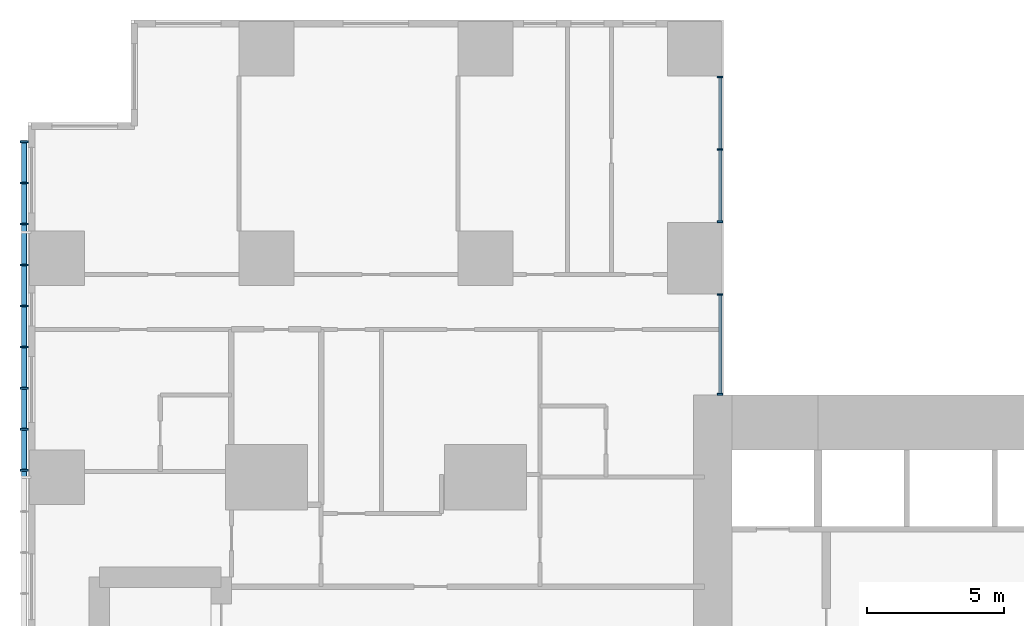
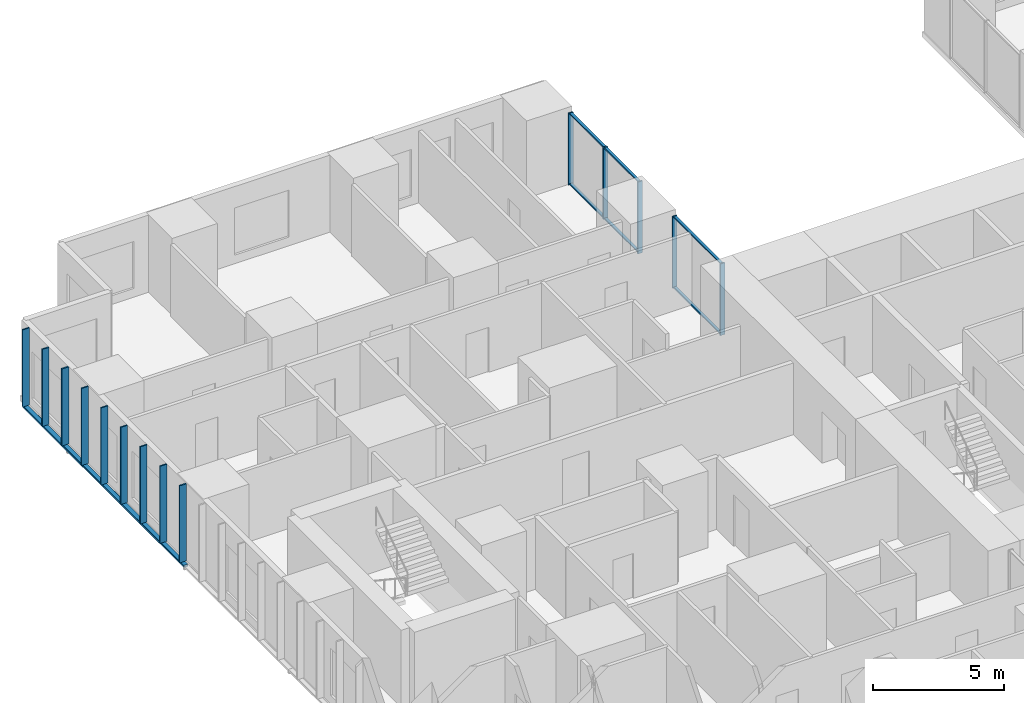
# One storey, part 4 of 20: 21 members, 2 elements without a shape of their own.
"""IFC4 building model written with IfcOpenShell, lengths in metres."""

from ifc_helpers import new_model, si_unit, direction, frame, origin, origin_2d, place, context, subcontext, project, spatial, rectangle, hollow_rectangle, extrude, material, layer, layer_set, material_profile, profile_set, type_object, element, aggregate, save


model = new_model("IFC4")

# Units and contexts
model_context = context("Model", 3, precision=1e-05, world=origin(), true_north=direction((0.0, 1.0)))
body_context = subcontext(model_context, "Body", "Model", "MODEL_VIEW")
ifc_project = project(units=[si_unit("LENGTHUNIT", "METRE"), si_unit("AREAUNIT", "SQUARE_METRE"), si_unit("VOLUMEUNIT", "CUBIC_METRE"), si_unit("PLANEANGLEUNIT", "RADIAN"), si_unit("MASSUNIT", "GRAM", prefix="KILO")], contexts=[model_context])

# Site, building, storey
site_placement = place(None, origin())
site = spatial("IfcSite", under=ifc_project, at=site_placement, CompositionType="ELEMENT")
building_placement = place(site_placement, origin())
building = spatial("IfcBuilding", under=site, at=building_placement, Name="Cleftline Residences", CompositionType="ELEMENT")
storey_placement = place(building_placement, frame((0.0, 0.0, 135.800048828125)))
storey = spatial("IfcBuildingStorey", under=building, at=storey_placement, Name="L35", CompositionType="ELEMENT", Elevation=135.800048828125)

# Member
ifc_material_1 = material(Name="Steel S355, hot-dip galvanised", Category="steel")
ifc_material_profile_1 = material_profile(ifc_material_1, hollow_rectangle(XDim=0.10009765625, YDim=0.199951171875, WallThickness=0.008056640625, InnerFilletRadius=0.008056640625, OuterFilletRadius=0.011962890625, at=origin_2d()))
ifc_profile_set_1 = profile_set([ifc_material_profile_1], Name="Steel S355, hot-dip galvanised")
member_type_1 = type_object("IfcMemberType", Name="BAGUETTE CARRIER RHS 200X100X8", PredefinedType="USERDEFINED", material=ifc_profile_set_1)
member_1_placement = place(storey_placement, frame((-0.85009765625, 44.300048828125, -0.050048828125), z_axis=(0.0, -1.0, 0.0), x_axis=(0.0, 0.0, 1.0)))
element("IfcMember", 1, at=member_1_placement, inside=storey, type_object=member_type_1, Name="Baguette carrier", ObjectType="BAGUETTE CARRIER", PredefinedType="USERDEFINED", context=body_context, shape_type="SweptSolid", body=[
    extrude(hollow_rectangle(XDim=0.10009765625, YDim=0.199951171875, WallThickness=0.008056640625, InnerFilletRadius=0.008056640625, OuterFilletRadius=0.011962890625, at=origin_2d()), origin(), (0.0, 0.0, 1.0), 12.300048828125),
])

# Curtain wall, members
ifc_material_2 = material(Name="Aluminium framed curtain wall", Category="aluminium")
ifc_layer = layer(ifc_material_2, 0.199951171875)
ifc_layer_set = layer_set([ifc_layer], Name="CW1 CLEFT GLAZING")
curtain_wall_type = type_object("IfcCurtainWallType", Name="CW1 CLEFT GLAZING", PredefinedType="NOTDEFINED", material=ifc_layer_set)
curtain_wall_1_placement = place(storey_placement, origin())
curtain_wall_1 = element("IfcCurtainWall", 2, at=curtain_wall_1_placement, inside=storey, type_object=curtain_wall_type, Name="Curtain wall CW1", PredefinedType="NOTDEFINED")
ifc_material_3 = material(Name="Aluminium mullion", Category="aluminium")
ifc_material_profile_2 = material_profile(ifc_material_3, rectangle(XDim=0.199951171875, YDim=0.06005859375, at=origin_2d()))
ifc_profile_set_2 = profile_set([ifc_material_profile_2], Name="Aluminium mullion")
member_type_2 = type_object("IfcMemberType", Name="CW1 MULLION", PredefinedType="MULLION", material=ifc_profile_set_2)
member_2_placement = place(storey_placement, frame((24.574951171875, 35.030029296875, 0.0), z_axis=(0.0, 0.0, 1.0), x_axis=(-1.0, 0.0, 0.0)))
member_2 = element("IfcMember", 3, at=member_2_placement, type_object=member_type_2, Name="CW1 mullion 1", PredefinedType="MULLION", context=body_context, shape_type="SweptSolid", body=[
    extrude(rectangle(XDim=0.199951171875, YDim=0.06005859375, at=origin_2d()), origin(), (0.0, 0.0, 1.0), 3.349853515625),
])
member_3_placement = place(storey_placement, frame((24.574951171875, 38.669921875, 0.0), z_axis=(0.0, 0.0, 1.0), x_axis=(-1.0, 0.0, 0.0)))
member_3 = element("IfcMember", 4, at=member_3_placement, type_object=member_type_2, Name="CW1 mullion 2", PredefinedType="MULLION", context=body_context, shape_type="SweptSolid", body=[
    extrude(rectangle(XDim=0.199951171875, YDim=0.06005859375, at=origin_2d()), origin(), (0.0, 0.0, 1.0), 3.349853515625),
])

curtain_wall_2_placement = place(storey_placement, origin())
curtain_wall_2 = element("IfcCurtainWall", 5, at=curtain_wall_2_placement, inside=storey, type_object=curtain_wall_type, Name="Curtain wall CW1", PredefinedType="NOTDEFINED")
member_4_placement = place(storey_placement, frame((24.574951171875, 41.330078125, 0.0), z_axis=(0.0, 0.0, 1.0), x_axis=(-1.0, 0.0, 0.0)))
member_4 = element("IfcMember", 6, at=member_4_placement, type_object=member_type_2, Name="CW1 mullion 1", PredefinedType="MULLION", context=body_context, shape_type="SweptSolid", body=[
    extrude(rectangle(XDim=0.199951171875, YDim=0.06005859375, at=origin_2d()), origin(), (0.0, 0.0, 1.0), 3.349853515625),
])
member_5_placement = place(storey_placement, frame((24.574951171875, 43.97509765625, 0.0), z_axis=(0.0, 0.0, 1.0), x_axis=(-1.0, 0.0, 0.0)))
member_5 = element("IfcMember", 7, at=member_5_placement, type_object=member_type_2, Name="CW1 mullion 2", PredefinedType="MULLION", context=body_context, shape_type="SweptSolid", body=[
    extrude(rectangle(XDim=0.199951171875, YDim=0.06005859375, at=origin_2d()), origin(), (0.0, 0.0, 1.0), 3.349853515625),
])
member_6_placement = place(storey_placement, frame((24.574951171875, 46.6201171875, 0.0), z_axis=(0.0, 0.0, 1.0), x_axis=(-1.0, 0.0, 0.0)))
member_6 = element("IfcMember", 8, at=member_6_placement, type_object=member_type_2, Name="CW1 mullion 3", PredefinedType="MULLION", context=body_context, shape_type="SweptSolid", body=[
    extrude(rectangle(XDim=0.199951171875, YDim=0.06005859375, at=origin_2d()), origin(), (0.0, 0.0, 1.0), 3.349853515625),
])

# Member
ifc_material_4 = material(Name="Aluminium transom", Category="aluminium")
ifc_material_profile_3 = material_profile(ifc_material_4, rectangle(XDim=0.1201171875, YDim=0.06005859375, at=origin_2d()))
ifc_profile_set_3 = profile_set([ifc_material_profile_3], Name="Aluminium transom")
member_type_3 = type_object("IfcMemberType", Name="CW1 TRANSOM", PredefinedType="USERDEFINED", material=ifc_profile_set_3)
member_7_placement = place(storey_placement, frame((24.574951171875, 35.06005859375, 0.030029296875), z_axis=(0.0, 1.0, 0.0), x_axis=(-1.0, 0.0, 0.0)))
member_7 = element("IfcMember", 9, at=member_7_placement, type_object=member_type_3, Name="CW1 transom 1.1", ObjectType="TRANSOM", PredefinedType="USERDEFINED", context=body_context, shape_type="SweptSolid", body=[
    extrude(rectangle(XDim=0.1201171875, YDim=0.06005859375, at=origin_2d()), origin(), (0.0, 0.0, 1.0), 3.579833984375),
])

member_8_placement = place(storey_placement, frame((24.574951171875, 35.06005859375, 3.320068359375), z_axis=(0.0, 1.0, 0.0), x_axis=(-1.0, 0.0, 0.0)))
member_8 = element("IfcMember", 10, at=member_8_placement, type_object=member_type_3, Name="CW1 transom 1.2", ObjectType="TRANSOM", PredefinedType="USERDEFINED", context=body_context, shape_type="SweptSolid", body=[
    extrude(rectangle(XDim=0.1201171875, YDim=0.06005859375, at=origin_2d()), origin(), (0.0, 0.0, 1.0), 3.579833984375),
])

aggregate(curtain_wall_1, [member_2, member_3, member_7, member_8])

member_9_placement = place(storey_placement, frame((24.574951171875, 41.360107421875, 0.030029296875), z_axis=(0.0, 1.0, 0.0), x_axis=(-1.0, 0.0, 0.0)))
member_9 = element("IfcMember", 11, at=member_9_placement, type_object=member_type_3, Name="CW1 transom 1.1", ObjectType="TRANSOM", PredefinedType="USERDEFINED", context=body_context, shape_type="SweptSolid", body=[
    extrude(rectangle(XDim=0.1201171875, YDim=0.06005859375, at=origin_2d()), origin(), (0.0, 0.0, 1.0), 2.5849609375),
])

member_10_placement = place(storey_placement, frame((24.574951171875, 41.360107421875, 3.320068359375), z_axis=(0.0, 1.0, 0.0), x_axis=(-1.0, 0.0, 0.0)))
member_10 = element("IfcMember", 12, at=member_10_placement, type_object=member_type_3, Name="CW1 transom 1.2", ObjectType="TRANSOM", PredefinedType="USERDEFINED", context=body_context, shape_type="SweptSolid", body=[
    extrude(rectangle(XDim=0.1201171875, YDim=0.06005859375, at=origin_2d()), origin(), (0.0, 0.0, 1.0), 2.5849609375),
])

member_11_placement = place(storey_placement, frame((24.574951171875, 44.0048828125, 0.030029296875), z_axis=(0.0, 1.0, 0.0), x_axis=(-1.0, 0.0, 0.0)))
member_11 = element("IfcMember", 13, at=member_11_placement, type_object=member_type_3, Name="CW1 transom 2.1", ObjectType="TRANSOM", PredefinedType="USERDEFINED", context=body_context, shape_type="SweptSolid", body=[
    extrude(rectangle(XDim=0.1201171875, YDim=0.06005859375, at=origin_2d()), origin(), (0.0, 0.0, 1.0), 2.585205078125),
])

member_12_placement = place(storey_placement, frame((24.574951171875, 44.0048828125, 3.320068359375), z_axis=(0.0, 1.0, 0.0), x_axis=(-1.0, 0.0, 0.0)))
member_12 = element("IfcMember", 14, at=member_12_placement, type_object=member_type_3, Name="CW1 transom 2.2", ObjectType="TRANSOM", PredefinedType="USERDEFINED", context=body_context, shape_type="SweptSolid", body=[
    extrude(rectangle(XDim=0.1201171875, YDim=0.06005859375, at=origin_2d()), origin(), (0.0, 0.0, 1.0), 2.585205078125),
])

aggregate(curtain_wall_2, [member_4, member_5, member_6, member_9, member_10, member_11, member_12])

# Members
ifc_material_5 = material(Name="Extruded terracotta", Category="masonry")
ifc_material_profile_4 = material_profile(ifc_material_5, rectangle(XDim=0.06005859375, YDim=0.300048828125, at=origin_2d()))
ifc_profile_set_4 = profile_set([ifc_material_profile_4], Name="Extruded terracotta")
member_type_4 = type_object("IfcMemberType", Name="TERRACOTTA BAGUETTE 60X300", PredefinedType="USERDEFINED", material=ifc_profile_set_4)
for number, where, z_axis, x_axis, name in (
    (15, (-0.85009765625, 44.25, 0.0), (0.0, 0.0, 1.0), (0.0, 1.0, 0.0), "Terracotta baguette"),
    (16, (-0.85009765625, 42.75, 0.0), (0.0, 0.0, 1.0), (0.0, 1.0, 0.0), "Terracotta baguette"),
    (17, (-0.85009765625, 41.25, 0.0), (0.0, 0.0, 1.0), (0.0, 1.0, 0.0), "Terracotta baguette"),
    (18, (-0.85009765625, 39.75, 0.0), (0.0, 0.0, 1.0), (0.0, 1.0, 0.0), "Terracotta baguette"),
    (19, (-0.85009765625, 38.25, 0.0), (0.0, 0.0, 1.0), (0.0, 1.0, 0.0), "Terracotta baguette"),
    (20, (-0.85009765625, 36.75, 0.0), (0.0, 0.0, 1.0), (0.0, 1.0, 0.0), "Terracotta baguette"),
    (21, (-0.85009765625, 35.25, 0.0), (0.0, 0.0, 1.0), (0.0, 1.0, 0.0), "Terracotta baguette"),
    (22, (-0.85009765625, 33.75, 0.0), (0.0, 0.0, 1.0), (0.0, 1.0, 0.0), "Terracotta baguette"),
    (23, (-0.85009765625, 32.25, 0.0), (0.0, 0.0, 1.0), (0.0, 1.0, 0.0), "Terracotta baguette"),
):
    element("IfcMember", number, at=place(storey_placement, frame(where, z_axis=z_axis, x_axis=x_axis)), inside=storey, type_object=member_type_4, Name=name, ObjectType="BAGUETTE", PredefinedType="USERDEFINED", context=body_context, shape_type="SweptSolid", body=[
        extrude(rectangle(XDim=0.06005859375, YDim=0.300048828125, at=origin_2d()), origin(), (0.0, 0.0, 1.0), 3.599853515625),
    ])

save(model, "model.ifc")
